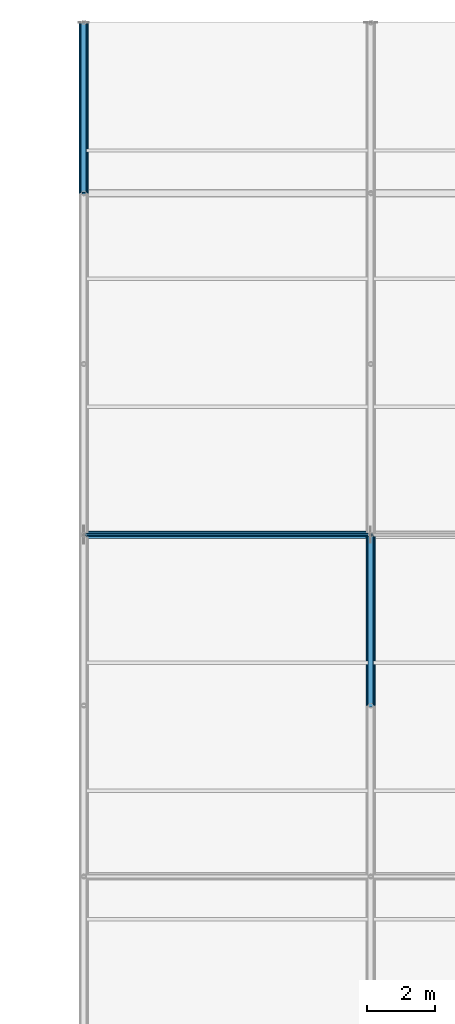
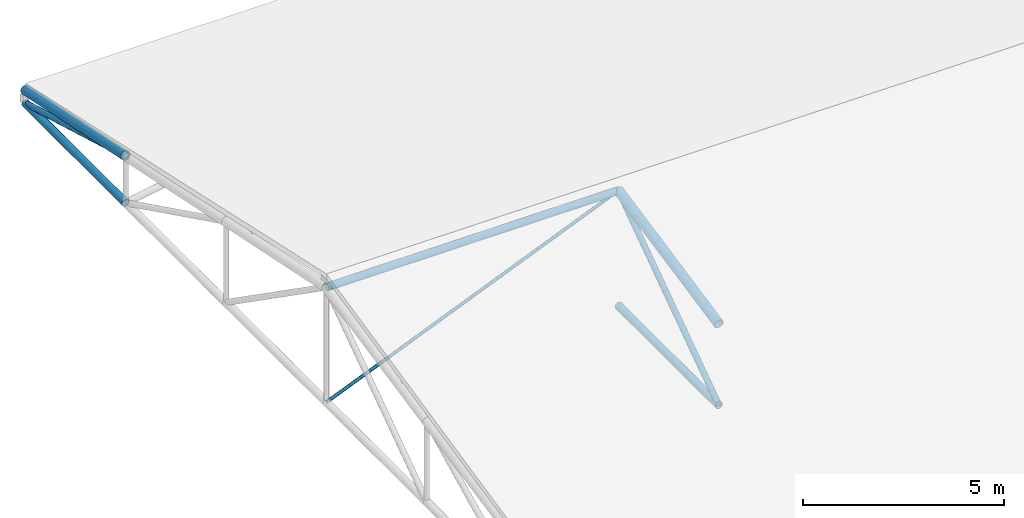
# One storey, part 13 of 194: 8 members.
"""IFC4 building model written with IfcOpenShell, lengths in metres."""

from ifc_helpers import new_model, si_unit, direction, frame, origin, origin_2d, place, context, subcontext, project, spatial, hollow_circle, extrude, material, material_profile, profile_set, type_object, element, save


model = new_model("IFC4")

# Units and contexts
model_context = context("Model", 3, precision=1e-05, world=origin(), true_north=direction((0.0, 1.0)))
body_context = subcontext(model_context, "Body", "Model", "MODEL_VIEW")
ifc_project = project(units=[si_unit("LENGTHUNIT", "METRE"), si_unit("AREAUNIT", "SQUARE_METRE"), si_unit("VOLUMEUNIT", "CUBIC_METRE"), si_unit("PLANEANGLEUNIT", "RADIAN"), si_unit("MASSUNIT", "GRAM", prefix="KILO")], contexts=[model_context])

# Site, building, storey
site_placement = place(None, origin())
site = spatial("IfcSite", under=ifc_project, at=site_placement, CompositionType="ELEMENT")
building_placement = place(site_placement, origin())
building = spatial("IfcBuilding", under=site, at=building_placement, Name="Kazenagashi Tramway Depot", CompositionType="ELEMENT")
storey_placement = place(building_placement, frame((0.0, 0.0, 23.7)))
storey = spatial("IfcBuildingStorey", under=building, at=storey_placement, Name="ROOF", CompositionType="ELEMENT", Elevation=23.7)

# Members
ifc_material_1 = material(Name="Steel STK490", Category="steel")
ifc_material_profile_1 = material_profile(ifc_material_1, hollow_circle(Radius=0.1337, WallThickness=0.0093, at=origin_2d()), Name="CHS-267.4x9.3")
ifc_profile_set_1 = profile_set([ifc_material_profile_1], Name="Steel STK490")
member_type_1 = type_object("IfcMemberType", Name="TC-01", PredefinedType="CHORD", material=ifc_profile_set_1)
for number, where, z_axis, x_axis, name in (
    (1, (44.8, 125.0, -12.667), (0.0, 0.979317999984, -0.202327098797), (-1.0, 0.0, 0.0), "Tubular Space Frame TC-01 MEM-0047"),
    (2, (53.2, 110.0, -11.633), (0.0, 0.979317999984, 0.202327098797), (-1.0, 0.0, 0.0), "Tubular Space Frame TC-01 MEM-0099"),
):
    element("IfcMember", number, at=place(storey_placement, frame(where, z_axis=z_axis, x_axis=x_axis)), inside=storey, type_object=member_type_1, Name=name, PredefinedType="CHORD", context=body_context, shape_type="SweptSolid", body=[
        extrude(hollow_circle(Radius=0.1337, WallThickness=0.0093, at=origin_2d()), origin(), (0.0, 0.0, 1.0), 5.105594),
    ])
ifc_material_profile_2 = material_profile(ifc_material_1, hollow_circle(Radius=0.10815, WallThickness=0.0082, at=origin_2d()), Name="CHS-216.3x8.2")
ifc_profile_set_2 = profile_set([ifc_material_profile_2], Name="Steel STK490")
member_type_2 = type_object("IfcMemberType", Name="TC-02", PredefinedType="CHORD", material=ifc_profile_set_2)
member_1_placement = place(storey_placement, frame((44.8, 125.0, -14.1), z_axis=(0.0, 1.0, 0.0), x_axis=(-1.0, 0.0, 0.0)))
element("IfcMember", 3, at=member_1_placement, inside=storey, type_object=member_type_2, Name="Tubular Space Frame TC-02 MEM-0048", PredefinedType="CHORD", context=body_context, shape_type="SweptSolid", body=[
    extrude(hollow_circle(Radius=0.10815, WallThickness=0.0082, at=origin_2d()), origin(), (0.0, 0.0, 1.0), 5.0),
])
member_2_placement = place(storey_placement, frame((44.8, 115.0, -10.6), z_axis=(1.0, 0.0, 0.0), x_axis=(0.0, 1.0, 0.0)))
element("IfcMember", 4, at=member_2_placement, inside=storey, type_object=member_type_2, Name="Tubular Space Frame TC-02 MEM-0058", PredefinedType="CHORD", context=body_context, shape_type="SweptSolid", body=[
    extrude(hollow_circle(Radius=0.10815, WallThickness=0.0082, at=origin_2d()), origin(), (0.0, 0.0, 1.0), 8.4),
])
member_3_placement = place(storey_placement, frame((53.2, 110.0, -14.1), z_axis=(0.0, 1.0, 0.0), x_axis=(-1.0, 0.0, 0.0)))
element("IfcMember", 5, at=member_3_placement, inside=storey, type_object=member_type_2, Name="Tubular Space Frame TC-02 MEM-0100", PredefinedType="CHORD", context=body_context, shape_type="SweptSolid", body=[
    extrude(hollow_circle(Radius=0.10815, WallThickness=0.0082, at=origin_2d()), origin(), (0.0, 0.0, 1.0), 5.0),
])
ifc_material_profile_3 = material_profile(ifc_material_1, hollow_circle(Radius=0.0826, WallThickness=0.0071, at=origin_2d()), Name="CHS-165.2x7.1")
ifc_profile_set_3 = profile_set([ifc_material_profile_3], Name="Steel STK490")
member_type_3 = type_object("IfcMemberType", Name="TS-01", PredefinedType="STRUT", material=ifc_profile_set_3)
member_4_placement = place(storey_placement, frame((44.8, 125.0, -12.667), z_axis=(0.0, 0.961298717795, -0.27550821252), x_axis=(-1.0, 0.0, 0.0)))
element("IfcMember", 6, at=member_4_placement, inside=storey, type_object=member_type_3, Name="Tubular Space Frame TS-01 MEM-0049", PredefinedType="STRUT", context=body_context, shape_type="SweptSolid", body=[
    extrude(hollow_circle(Radius=0.0826, WallThickness=0.0071, at=origin_2d()), origin(), (0.0, 0.0, 1.0), 5.201297),
])
member_5_placement = place(storey_placement, frame((53.2, 110.0, -14.1), z_axis=(0.0, 0.819231920519, 0.573462344363), x_axis=(-1.0, 0.0, 0.0)))
element("IfcMember", 7, at=member_5_placement, inside=storey, type_object=member_type_3, Name="Tubular Space Frame TS-01 MEM-0101", PredefinedType="STRUT", context=body_context, shape_type="SweptSolid", body=[
    extrude(hollow_circle(Radius=0.0826, WallThickness=0.0071, at=origin_2d()), origin(), (0.0, 0.0, 1.0), 6.103278),
])
ifc_material_2 = material(Name="Steel STK400", Category="steel")
ifc_material_profile_4 = material_profile(ifc_material_2, hollow_circle(Radius=0.04455, WallThickness=0.0042, at=origin_2d()), Name="CHS-89.1x4.2")
ifc_profile_set_4 = profile_set([ifc_material_profile_4], Name="Steel STK400")
member_type_4 = type_object("IfcMemberType", Name="TS-04", PredefinedType="STRUT", material=ifc_profile_set_4)
member_6_placement = place(storey_placement, frame((44.8, 115.0, -14.1), z_axis=(0.923076923077, 0.0, 0.384615384615), x_axis=(0.0, 1.0, 0.0)))
element("IfcMember", 8, at=member_6_placement, inside=storey, type_object=member_type_4, Name="Tubular Space Frame TS-04 MEM-0059", PredefinedType="STRUT", context=body_context, shape_type="SweptSolid", body=[
    extrude(hollow_circle(Radius=0.04455, WallThickness=0.0042, at=origin_2d()), origin(), (0.0, 0.0, 1.0), 9.1),
])

save(model, "model.ifc")
